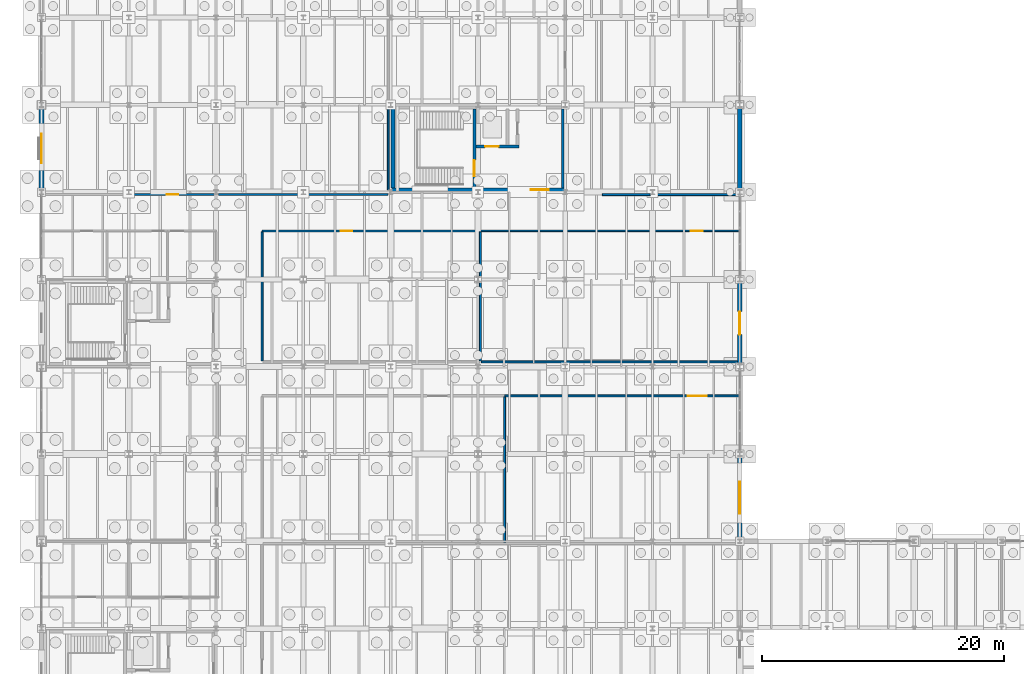
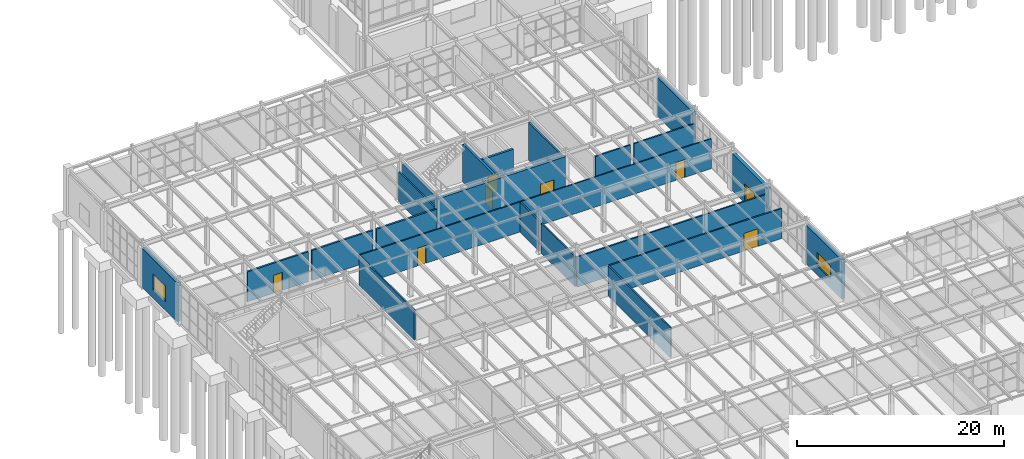
# One storey, part 264 of 293: 23 walls, 8 doors, 2 windows, 10 openings.
"""IFC4 building model written with IfcOpenShell, lengths in metres."""

from ifc_helpers import new_model, si_unit, direction, frame, frame_2d, origin, place, context, subcontext, project, spatial, rectangle, extrude, material, layer, layer_set, type_object, element, fill, save


model = new_model("IFC4")

# Units and contexts
model_context = context("Model", 3, precision=1e-05, world=origin(), true_north=direction((0.0, 1.0)))
body_context = subcontext(model_context, "Body", "Model", "MODEL_VIEW")
ifc_project = project(units=[si_unit("LENGTHUNIT", "METRE"), si_unit("AREAUNIT", "SQUARE_METRE"), si_unit("VOLUMEUNIT", "CUBIC_METRE"), si_unit("PLANEANGLEUNIT", "RADIAN"), si_unit("MASSUNIT", "GRAM", prefix="KILO")], contexts=[model_context])

# Site, building, storey
site_placement = place(None, origin())
site = spatial("IfcSite", under=ifc_project, at=site_placement, CompositionType="ELEMENT")
building_placement = place(site_placement, origin())
building = spatial("IfcBuilding", under=site, at=building_placement, Name="Kemerveld Promenade Tramway Depot", CompositionType="ELEMENT")
storey_placement = place(building_placement, origin())
storey = spatial("IfcBuildingStorey", under=building, at=storey_placement, Name="L00", CompositionType="ELEMENT", Elevation=0.0)

# Wall, opening, door
ifc_material_1 = material(Name="Concrete C40/50", Category="concrete")
ifc_layer_1 = layer(ifc_material_1, 0.25)
ifc_layer_set_1 = layer_set([ifc_layer_1], Name="WL-CORE-250")
wall_type_1 = type_object("IfcWallType", Name="WL-CORE-250", PredefinedType="SHEAR", material=ifc_layer_set_1)
wall_1_placement = place(storey_placement, frame((35.699951171875, 57.949951171875, 0.0), z_axis=(0.0, 0.0, 1.0), x_axis=(0.0, 1.0, 0.0)))
wall_1 = element("IfcWall", 1, at=wall_1_placement, inside=storey, type_object=wall_type_1, Name="WL-C3-L00-SDIV", PredefinedType="SHEAR", context=body_context, shape_type="SweptSolid", body=[
    extrude(rectangle(XDim=6.5, YDim=0.25, at=frame_2d((3.25, 0.0))), origin(), (0.0, 0.0, 1.0), 4.449951171875),
])
opening_1_placement = place(wall_1_placement, frame((0.949951171875, 0.0, 0.0)))
opening_1 = element("IfcOpeningElement", 2, at=opening_1_placement, cuts=wall_1, Name="Opening D-541", PredefinedType="OPENING", context=body_context, shape_type="SweptSolid", body=[
    extrude(rectangle(XDim=1.35009765625, YDim=2.14990234375, at=frame_2d((0.675048828125, 1.074951171875))), frame((0.0, 0.135009765625, 0.0), z_axis=(0.0, -1.0, 0.0), x_axis=(1.0, 0.0, 0.0)), (0.0, 0.0, 1.0), 0.27001953125),
])
ifc_material_2 = material(Name="Galvanised steel fire stair door", Category="steel")
door_type_1 = type_object("IfcDoorType", Name="DR-FD120", OperationType="NOTDEFINED", PredefinedType="DOOR", material=ifc_material_2)
door_1_placement = place(opening_1_placement, origin())
door_1 = element("IfcDoor", 3, at=door_1_placement, inside=storey, type_object=door_type_1, Name="DR-C3-L00-STAIR", OperationType="SINGLE_SWING_RIGHT", OverallHeight=2.14990234375, OverallWidth=1.35009765625, PredefinedType="DOOR", context=body_context, shape_type="SweptSolid", body=[
    extrude(rectangle(XDim=1.35009765625, YDim=2.14990234375, at=frame_2d((0.675048828125, 1.074951171875))), frame((0.0, 0.02490234375, 0.0), z_axis=(0.0, -1.0, 0.0), x_axis=(1.0, 0.0, 0.0)), (0.0, 0.0, 1.0), 0.050048828125),
])
fill(opening_1, door_1)

wall_2_placement = place(storey_placement, frame((35.824951171875, 61.360107421875, 0.0), z_axis=(0.0, 0.0, 1.0), x_axis=(1.0, 0.0, 0.0)))
wall_2 = element("IfcWall", 4, at=wall_2_placement, inside=storey, type_object=wall_type_1, Name="WL-C3-L00-LSHS", PredefinedType="SHEAR", context=body_context, shape_type="SweptSolid", body=[
    extrude(rectangle(XDim=3.580078125, YDim=0.25, at=frame_2d((1.7900390625, 0.0))), origin(), (0.0, 0.0, 1.0), 4.449951171875),
])
opening_2_placement = place(wall_2_placement, frame((0.77490234375, 0.0, 0.0)))
opening_2 = element("IfcOpeningElement", 5, at=opening_2_placement, cuts=wall_2, Name="Opening LD-542", PredefinedType="OPENING", context=body_context, shape_type="SweptSolid", body=[
    extrude(rectangle(XDim=1.10009765625, YDim=2.14990234375, at=frame_2d((0.550048828125, 1.074951171875))), frame((0.0, 0.135009765625, 0.0), z_axis=(0.0, -1.0, 0.0), x_axis=(1.0, 0.0, 0.0)), (0.0, 0.0, 1.0), 0.27001953125),
])
ifc_material_3 = material(Name="Brushed stainless steel sliding lift landing door", Category="steel")
door_type_2 = type_object("IfcDoorType", Name="DR-LD01", OperationType="SLIDING_TO_LEFT", PredefinedType="DOOR", material=ifc_material_3)
door_2_placement = place(opening_2_placement, origin())
door_2 = element("IfcDoor", 6, at=door_2_placement, inside=storey, type_object=door_type_2, Name="DR-C3-L00-LIFT", OperationType="SLIDING_TO_LEFT", OverallHeight=2.14990234375, OverallWidth=1.10009765625, PredefinedType="DOOR", context=body_context, shape_type="SweptSolid", body=[
    extrude(rectangle(XDim=1.10009765625, YDim=2.14990234375, at=frame_2d((0.550048828125, 1.074951171875))), frame((0.0, 0.02490234375, 0.0), z_axis=(0.0, -1.0, 0.0), x_axis=(1.0, 0.0, 0.0)), (0.0, 0.0, 1.0), 0.050048828125),
])
fill(opening_2, door_2)

ifc_layer_2 = layer(ifc_material_1, 0.300048828125)
ifc_layer_set_2 = layer_set([ifc_layer_2], Name="WL-CORE-300")
wall_type_2 = type_object("IfcWallType", Name="WL-CORE-300", PredefinedType="SHEAR", material=ifc_layer_set_2)
wall_3_placement = place(storey_placement, frame((28.85009765625, 57.800048828125, 0.0), z_axis=(0.0, 0.0, 1.0), x_axis=(1.0, 0.0, 0.0)))
wall_3 = element("IfcWall", 7, at=wall_3_placement, inside=storey, type_object=wall_type_2, Name="WL-C3-L00-S", PredefinedType="SHEAR", context=body_context, shape_type="SweptSolid", body=[
    extrude(rectangle(XDim=14.349853515625, YDim=0.300048828125, at=frame_2d((7.1748046875, 0.0))), origin(), (0.0, 0.0, 1.0), 4.449951171875),
])
opening_3_placement = place(wall_3_placement, frame((11.5, 0.0, 0.0)))
opening_3 = element("IfcOpeningElement", 8, at=opening_3_placement, cuts=wall_3, Name="Opening D-544", PredefinedType="OPENING", context=body_context, shape_type="SweptSolid", body=[
    extrude(rectangle(XDim=1.5, YDim=2.14990234375, at=frame_2d((0.75, 1.074951171875))), frame((0.0, 0.159912109375, 0.0), z_axis=(0.0, -1.0, 0.0), x_axis=(1.0, 0.0, 0.0)), (0.0, 0.0, 1.0), 0.320068359375),
])
ifc_material_4 = material(Name="Timber-faced acoustic fire lobby door", Category="wood")
door_type_3 = type_object("IfcDoorType", Name="DR-FD60A", OperationType="NOTDEFINED", PredefinedType="DOOR", material=ifc_material_4)
door_3_placement = place(opening_3_placement, origin())
door_3 = element("IfcDoor", 9, at=door_3_placement, inside=storey, type_object=door_type_3, Name="DR-C3-L00-LOBBY", OperationType="SINGLE_SWING_RIGHT", OverallHeight=2.14990234375, OverallWidth=1.5, PredefinedType="DOOR", context=body_context, shape_type="SweptSolid", body=[
    extrude(rectangle(XDim=1.5, YDim=2.14990234375, at=frame_2d((0.75, 1.074951171875))), frame((0.0, 0.02490234375, 0.0), z_axis=(0.0, -1.0, 0.0), x_axis=(1.0, 0.0, 0.0)), (0.0, 0.0, 1.0), 0.050048828125),
])
fill(opening_3, door_3)

# Wall
wall_4_placement = place(storey_placement, frame((29.0, 57.949951171875, 0.0), z_axis=(0.0, 0.0, 1.0), x_axis=(0.0, 1.0, 0.0)))
element("IfcWall", 10, at=wall_4_placement, inside=storey, type_object=wall_type_2, Name="WL-C3-L00-W", PredefinedType="SHEAR", context=body_context, shape_type="SweptSolid", body=[
    extrude(rectangle(XDim=6.5, YDim=0.300048828125, at=frame_2d((3.25, 0.0))), origin(), (0.0, 0.0, 1.0), 4.449951171875),
])

# Wall, opening, window
ifc_material_5 = material(Name="Harare granite ashlar and clay brick cavity masonry", Category="masonry")
ifc_layer_3 = layer(ifc_material_5, 0.3798828125)
ifc_layer_set_3 = layer_set([ifc_layer_3], Name="WL-EXT-380")
wall_type_3 = type_object("IfcWallType", Name="WL-EXT-380", PredefinedType="SOLIDWALL", material=ifc_layer_set_3)
wall_5_placement = place(storey_placement, frame((0.0, 57.806396484375, 0.0), z_axis=(0.0, 0.0, 1.0), x_axis=(0.0, 1.0, 0.0)))
wall_5 = element("IfcWall", 11, at=wall_5_placement, inside=storey, type_object=wall_type_3, Name="WL-L00-V5W-09", PredefinedType="SOLIDWALL", context=body_context, shape_type="SweptSolid", body=[
    extrude(rectangle(XDim=6.787353515625, YDim=0.3798828125, at=frame_2d((3.3935546875, 0.0))), origin(), (0.0, 0.0, 1.0), 4.593505859375),
])
opening_4_placement = place(wall_5_placement, frame((2.194091796875, 0.0, 1.050048828125)))
opening_4 = element("IfcOpeningElement", 12, at=opening_4_placement, cuts=wall_5, Name="Opening W-107", PredefinedType="OPENING", context=body_context, shape_type="SweptSolid", body=[
    extrude(rectangle(XDim=2.39990234375, YDim=1.800048828125, at=frame_2d((1.199951171875, 0.89990234375))), frame((0.0, 0.199951171875, 0.0), z_axis=(0.0, -1.0, 0.0), x_axis=(1.0, 0.0, 0.0)), (0.0, 0.0, 1.0), 0.39990234375),
])
ifc_material_6 = material(Name="Bronze anodised aluminium and low-e glass", Category="aluminium")
window_type_1 = type_object("IfcWindowType", Name="WN-10", PartitioningType="SINGLE_PANEL", PredefinedType="WINDOW", material=ifc_material_6)
window_1_placement = place(opening_4_placement, origin())
window_1 = element("IfcWindow", 13, at=window_1_placement, inside=storey, type_object=window_type_1, Name="WN-L00-V5W-09", OverallHeight=1.800048828125, OverallWidth=2.39990234375, PartitioningType="SINGLE_PANEL", PredefinedType="WINDOW", context=body_context, shape_type="SweptSolid", body=[
    extrude(rectangle(XDim=2.39990234375, YDim=1.800048828125, at=frame_2d((1.199951171875, 0.89990234375))), frame((0.0, 0.030029296875, 0.0), z_axis=(0.0, -1.0, 0.0), x_axis=(1.0, 0.0, 0.0)), (0.0, 0.0, 1.0), 0.06005859375),
])
fill(opening_4, window_1)

# Wall
wall_6_placement = place(storey_placement, frame((57.60009765625, 64.59375, 0.0), z_axis=(0.0, 0.0, 1.0), x_axis=(0.0, -1.0, 0.0)))
element("IfcWall", 14, at=wall_6_placement, inside=storey, type_object=wall_type_3, Name="WL-L00-V5E-03", PredefinedType="SOLIDWALL", context=body_context, shape_type="SweptSolid", body=[
    extrude(rectangle(XDim=6.787353515625, YDim=0.3798828125, at=frame_2d((3.3935546875, 0.0))), origin(), (0.0, 0.0, 1.0), 4.593505859375),
])

# Wall, opening, door
wall_7_placement = place(storey_placement, frame((57.60009765625, 50.193603515625, 0.0), z_axis=(0.0, 0.0, 1.0), x_axis=(0.0, -1.0, 0.0)))
wall_7 = element("IfcWall", 15, at=wall_7_placement, inside=storey, type_object=wall_type_3, Name="WL-L00-V5E-05", PredefinedType="SOLIDWALL", context=body_context, shape_type="SweptSolid", body=[
    extrude(rectangle(XDim=6.787353515625, YDim=0.3798828125, at=frame_2d((3.3935546875, 0.0))), origin(), (0.0, 0.0, 1.0), 4.367919921875),
])
opening_5_placement = place(wall_7_placement, frame((2.444091796875, 0.0, 0.0)))
opening_5 = element("IfcOpeningElement", 16, at=opening_5_placement, cuts=wall_7, Name="Opening D-128", PredefinedType="OPENING", context=body_context, shape_type="SweptSolid", body=[
    extrude(rectangle(XDim=1.89990234375, YDim=2.25, at=frame_2d((0.949951171875, 1.125))), frame((0.0, 0.199951171875, 0.0), z_axis=(0.0, -1.0, 0.0), x_axis=(1.0, 0.0, 0.0)), (0.0, 0.0, 1.0), 0.39990234375),
])
ifc_material_7 = material(Name="Bronze anodised aluminium and safety glass", Category="aluminium")
door_type_4 = type_object("IfcDoorType", Name="DR-EX02", OperationType="DOUBLE_SWING_LEFT", PredefinedType="DOOR", material=ifc_material_7)
door_4_placement = place(opening_5_placement, origin())
door_4 = element("IfcDoor", 17, at=door_4_placement, inside=storey, type_object=door_type_4, Name="EX-09", OperationType="DOUBLE_SWING_LEFT", OverallHeight=2.25, OverallWidth=1.89990234375, PredefinedType="DOOR", context=body_context, shape_type="SweptSolid", body=[
    extrude(rectangle(XDim=1.89990234375, YDim=2.25, at=frame_2d((0.949951171875, 1.125))), frame((0.0, 0.02490234375, 0.0), z_axis=(0.0, -1.0, 0.0), x_axis=(1.0, 0.0, 0.0)), (0.0, 0.0, 1.0), 0.050048828125),
])
fill(opening_5, door_4)

# Wall, opening, window
wall_8_placement = place(storey_placement, frame((57.60009765625, 35.793701171875, 0.0), z_axis=(0.0, 0.0, 1.0), x_axis=(0.0, -1.0, 0.0)))
wall_8 = element("IfcWall", 18, at=wall_8_placement, inside=storey, type_object=wall_type_3, Name="WL-L00-V5E-07", PredefinedType="SOLIDWALL", context=body_context, shape_type="SweptSolid", body=[
    extrude(rectangle(XDim=6.797607421875, YDim=0.3798828125, at=frame_2d((3.39892578125, 0.0))), origin(), (0.0, 0.0, 1.0), 4.593505859375),
])
opening_6_placement = place(wall_8_placement, frame((2.073974609375, 0.0, 1.050048828125)))
opening_6 = element("IfcOpeningElement", 19, at=opening_6_placement, cuts=wall_8, Name="Opening W-110", PredefinedType="OPENING", context=body_context, shape_type="SweptSolid", body=[
    extrude(rectangle(XDim=2.64990234375, YDim=1.60009765625, at=frame_2d((1.324951171875, 0.800048828125))), frame((0.0, 0.199951171875, 0.0), z_axis=(0.0, -1.0, 0.0), x_axis=(1.0, 0.0, 0.0)), (0.0, 0.0, 1.0), 0.39990234375),
])
window_type_2 = type_object("IfcWindowType", Name="WN-40", PartitioningType="SINGLE_PANEL", PredefinedType="WINDOW", material=ifc_material_6)
window_2_placement = place(opening_6_placement, origin())
window_2 = element("IfcWindow", 20, at=window_2_placement, inside=storey, type_object=window_type_2, Name="WN-L00-V5E-07", OverallHeight=1.60009765625, OverallWidth=2.64990234375, PartitioningType="SINGLE_PANEL", PredefinedType="WINDOW", context=body_context, shape_type="SweptSolid", body=[
    extrude(rectangle(XDim=2.64990234375, YDim=1.60009765625, at=frame_2d((1.324951171875, 0.800048828125))), frame((0.0, 0.030029296875, 0.0), z_axis=(0.0, -1.0, 0.0), x_axis=(1.0, 0.0, 0.0)), (0.0, 0.0, 1.0), 0.06005859375),
])
fill(opening_6, window_2)

# Wall
ifc_material_8 = material(Name="Concrete blockwork C35/45", Category="masonry")
ifc_layer_4 = layer(ifc_material_8, 0.199951171875)
ifc_layer_set_4 = layer_set([ifc_layer_4], Name="WL-LOB-200")
wall_type_4 = type_object("IfcWallType", Name="WL-LOB-200", PredefinedType="SOLIDWALL", material=ifc_layer_set_4)
wall_9_placement = place(storey_placement, frame((43.0, 57.949951171875, 0.0), z_axis=(0.0, 0.0, 1.0), x_axis=(0.0, 1.0, 0.0)))
element("IfcWall", 21, at=wall_9_placement, inside=storey, type_object=wall_type_4, Name="WL-C3-L00-E", PredefinedType="SOLIDWALL", context=body_context, shape_type="SweptSolid", body=[
    extrude(rectangle(XDim=6.5, YDim=0.199951171875, at=frame_2d((3.25, 0.0))), origin(), (0.0, 0.0, 1.0), 4.449951171875),
])

# Wall, opening, door
ifc_material_9 = material(Name="Moisture-resistant masonry partition", Category="masonry")
ifc_layer_5 = layer(ifc_material_9, 0.1298828125)
ifc_layer_set_5 = layer_set([ifc_layer_5], Name="WL-PRT-130")
wall_type_5 = type_object("IfcWallType", Name="WL-PRT-130", PredefinedType="PARTITIONING", material=ifc_layer_set_5)
wall_10_placement = place(storey_placement, frame((36.199951171875, 54.39990234375, 0.0), z_axis=(0.0, 0.0, 1.0), x_axis=(1.0, 0.0, 0.0)))
wall_10 = element("IfcWall", 22, at=wall_10_placement, inside=storey, type_object=wall_type_5, Name="WL-PRT-RM-L00-V5-SHWR", PredefinedType="PARTITIONING", context=body_context, shape_type="SweptSolid", body=[
    extrude(rectangle(XDim=21.320068359375, YDim=0.1298828125, at=frame_2d((10.66015625, 0.0))), origin(), (0.0, 0.0, 1.0), 3.550048828125),
])
opening_7_placement = place(wall_10_placement, frame((17.346923828125, 0.0, 0.0)))
opening_7 = element("IfcOpeningElement", 23, at=opening_7_placement, cuts=wall_10, Name="Opening D-618", PredefinedType="OPENING", context=body_context, shape_type="SweptSolid", body=[
    extrude(rectangle(XDim=1.0, YDim=2.10009765625, at=frame_2d((0.5, 1.050048828125))), frame((0.0, 0.074951171875, 0.0), z_axis=(0.0, -1.0, 0.0), x_axis=(1.0, 0.0, 0.0)), (0.0, 0.0, 1.0), 0.14990234375),
])
ifc_material_10 = material(Name="Hardwood staff welfare door", Category="wood")
door_type_5 = type_object("IfcDoorType", Name="DR-INT02", OperationType="NOTDEFINED", PredefinedType="DOOR", material=ifc_material_10)
door_5_placement = place(opening_7_placement, origin())
door_5 = element("IfcDoor", 24, at=door_5_placement, inside=storey, type_object=door_type_5, Name="DR-RM-RM-L00-V5-SHWR", OperationType="SINGLE_SWING_RIGHT", OverallHeight=2.10009765625, OverallWidth=1.0, PredefinedType="DOOR", context=body_context, shape_type="SweptSolid", body=[
    extrude(rectangle(XDim=1.0, YDim=2.10009765625, at=frame_2d((0.5, 1.050048828125))), frame((0.0, 0.02490234375, 0.0), z_axis=(0.0, -1.0, 0.0), x_axis=(1.0, 0.0, 0.0)), (0.0, 0.0, 1.0), 0.050048828125),
])
fill(opening_7, door_5)

ifc_material_11 = material(Name="Fire-rated gypsum stud partition")
ifc_layer_6 = layer(ifc_material_11, 0.14501953125)
ifc_layer_set_6 = layer_set([ifc_layer_6], Name="WL-PRT-145")
wall_type_6 = type_object("IfcWallType", Name="WL-PRT-145", PredefinedType="PARTITIONING", material=ifc_layer_set_6)
wall_11_placement = place(storey_placement, frame((18.199951171875, 54.39990234375, 0.0), z_axis=(0.0, 0.0, 1.0), x_axis=(1.0, 0.0, 0.0)))
wall_11 = element("IfcWall", 25, at=wall_11_placement, inside=storey, type_object=wall_type_6, Name="WL-PRT-RM-L00-V5-RESTF", PredefinedType="PARTITIONING", context=body_context, shape_type="SweptSolid", body=[
    extrude(rectangle(XDim=18.0, YDim=0.14501953125, at=frame_2d((9.0, 0.0))), origin(), (0.0, 0.0, 1.0), 3.550048828125),
])
opening_8_placement = place(wall_11_placement, frame((6.47412109375, 0.0, 0.0)))
opening_8 = element("IfcOpeningElement", 26, at=opening_8_placement, cuts=wall_11, Name="Opening D-617", PredefinedType="OPENING", context=body_context, shape_type="SweptSolid", body=[
    extrude(rectangle(XDim=0.949951171875, YDim=2.10009765625, at=frame_2d((0.47509765625, 1.050048828125))), frame((0.0, 0.08251953125, 0.0), z_axis=(0.0, -1.0, 0.0), x_axis=(1.0, 0.0, 0.0)), (0.0, 0.0, 1.0), 0.1650390625),
])
ifc_material_12 = material(Name="Hardwood acoustic office door", Category="wood")
door_type_6 = type_object("IfcDoorType", Name="DR-INT01", OperationType="NOTDEFINED", PredefinedType="DOOR", material=ifc_material_12)
door_6_placement = place(opening_8_placement, origin())
door_6 = element("IfcDoor", 27, at=door_6_placement, inside=storey, type_object=door_type_6, Name="DR-RM-RM-L00-V5-RESTF", OperationType="SINGLE_SWING_LEFT", OverallHeight=2.10009765625, OverallWidth=0.949951171875, PredefinedType="DOOR", context=body_context, shape_type="SweptSolid", body=[
    extrude(rectangle(XDim=0.949951171875, YDim=2.10009765625, at=frame_2d((0.47509765625, 1.050048828125))), frame((0.0, 0.02490234375, 0.0), z_axis=(0.0, -1.0, 0.0), x_axis=(1.0, 0.0, 0.0)), (0.0, 0.0, 1.0), 0.050048828125),
])
fill(opening_8, door_6)

ifc_material_13 = material(Name="Acoustic twin-stud gypsum partition")
ifc_layer_7 = layer(ifc_material_13, 0.159912109375)
ifc_layer_set_7 = layer_set([ifc_layer_7], Name="WL-PRT-160")
wall_type_7 = type_object("IfcWallType", Name="WL-PRT-160", PredefinedType="PARTITIONING", material=ifc_layer_set_7)
wall_12_placement = place(storey_placement, frame((38.199951171875, 40.800048828125, 0.0), z_axis=(0.0, 0.0, 1.0), x_axis=(1.0, 0.0, 0.0)))
wall_12 = element("IfcWall", 28, at=wall_12_placement, inside=storey, type_object=wall_type_7, Name="WL-PRT-RM-L00-V5-LCKF", PredefinedType="PARTITIONING", context=body_context, shape_type="SweptSolid", body=[
    extrude(rectangle(XDim=19.320068359375, YDim=0.159912109375, at=frame_2d((9.66015625, 0.0))), origin(), (0.0, 0.0, 1.0), 3.550048828125),
])
opening_9_placement = place(wall_12_placement, frame((15.090087890625, 0.0, 0.0)))
opening_9 = element("IfcOpeningElement", 29, at=opening_9_placement, cuts=wall_12, Name="Opening D-616", PredefinedType="OPENING", context=body_context, shape_type="SweptSolid", body=[
    extrude(rectangle(XDim=1.580078125, YDim=2.080078125, at=frame_2d((0.7900390625, 1.0400390625))), frame((0.0, 0.08984375, 0.0), z_axis=(0.0, -1.0, 0.0), x_axis=(1.0, 0.0, 0.0)), (0.0, 0.0, 1.0), 0.179931640625),
])
ifc_material_14 = material(Name="Hardwood interior room door", Category="wood")
door_type_7 = type_object("IfcDoorType", Name="DR-INT32", OperationType="NOTDEFINED", PredefinedType="DOOR", material=ifc_material_14)
door_7_placement = place(opening_9_placement, origin())
door_7 = element("IfcDoor", 30, at=door_7_placement, inside=storey, type_object=door_type_7, Name="DR-RM-RM-L00-V5-LCKF", OperationType="SINGLE_SWING_RIGHT", OverallHeight=2.080078125, OverallWidth=1.580078125, PredefinedType="DOOR", context=body_context, shape_type="SweptSolid", body=[
    extrude(rectangle(XDim=1.580078125, YDim=2.080078125, at=frame_2d((0.7900390625, 1.0400390625))), frame((0.0, 0.02490234375, 0.0), z_axis=(0.0, -1.0, 0.0), x_axis=(1.0, 0.0, 0.0)), (0.0, 0.0, 1.0), 0.050048828125),
])
fill(opening_9, door_7)

# Walls
wall_13_placement = place(storey_placement, frame((38.199951171875, 28.679931640625, 0.0), z_axis=(0.0, 0.0, 1.0), x_axis=(0.0, 1.0, 0.0)))
element("IfcWall", 31, at=wall_13_placement, inside=storey, type_object=wall_type_7, Name="WL-DIV-L00-044", PredefinedType="PARTITIONING", context=body_context, shape_type="SweptSolid", body=[
    extrude(rectangle(XDim=12.0400390625, YDim=0.159912109375, at=frame_2d((6.02001953125, 0.0))), origin(), (0.0, 0.0, 1.0), 3.550048828125),
])
wall_14_placement = place(storey_placement, frame((18.199951171875, 43.679931640625, 0.0), z_axis=(0.0, 0.0, 1.0), x_axis=(0.0, 1.0, 0.0)))
element("IfcWall", 32, at=wall_14_placement, inside=storey, type_object=wall_type_7, Name="WL-DIV-L00-045", PredefinedType="PARTITIONING", context=body_context, shape_type="SweptSolid", body=[
    extrude(rectangle(XDim=10.64794921875, YDim=0.159912109375, at=frame_2d((5.323974609375, 0.0))), origin(), (0.0, 0.0, 1.0), 3.550048828125),
])
wall_15_placement = place(storey_placement, frame((36.199951171875, 43.679931640625, 0.0), z_axis=(0.0, 0.0, 1.0), x_axis=(0.0, 1.0, 0.0)))
element("IfcWall", 33, at=wall_15_placement, inside=storey, type_object=wall_type_7, Name="WL-DIV-L00-046", PredefinedType="PARTITIONING", context=body_context, shape_type="SweptSolid", body=[
    extrude(rectangle(XDim=6.5341796875, YDim=0.159912109375, at=frame_2d((3.26708984375, 0.0))), origin(), (0.0, 0.0, 1.0), 3.550048828125),
])
wall_16_placement = place(storey_placement, frame((36.199951171875, 50.5859375, 0.0), z_axis=(0.0, 0.0, 1.0), x_axis=(0.0, 1.0, 0.0)))
element("IfcWall", 34, at=wall_16_placement, inside=storey, type_object=wall_type_7, Name="WL-DIV-L00-047", PredefinedType="PARTITIONING", context=body_context, shape_type="SweptSolid", body=[
    extrude(rectangle(XDim=3.741943359375, YDim=0.159912109375, at=frame_2d((1.87109375, 0.0))), origin(), (0.0, 0.0, 1.0), 3.550048828125),
])
wall_17_placement = place(storey_placement, frame((36.280029296875, 43.60009765625, 0.0), z_axis=(0.0, 0.0, 1.0), x_axis=(1.0, 0.0, 0.0)))
element("IfcWall", 35, at=wall_17_placement, inside=storey, type_object=wall_type_7, Name="WL-DIV-L00-049", PredefinedType="PARTITIONING", context=body_context, shape_type="SweptSolid", body=[
    extrude(rectangle(XDim=21.1298828125, YDim=0.159912109375, at=frame_2d((10.56494140625, 0.0))), origin(), (0.0, 0.0, 1.0), 3.550048828125),
])
wall_18_placement = place(storey_placement, frame((28.60009765625, 57.785888671875, 0.0), z_axis=(0.0, 0.0, 1.0), x_axis=(0.0, 1.0, 0.0)))
element("IfcWall", 36, at=wall_18_placement, inside=storey, type_object=wall_type_7, Name="WL-DIV-L00-053", PredefinedType="PARTITIONING", context=body_context, shape_type="SweptSolid", body=[
    extrude(rectangle(XDim=6.828125, YDim=0.159912109375, at=frame_2d((3.4140625, 0.0))), origin(), (0.0, 0.0, 1.0), 3.550048828125),
])
wall_19_placement = place(storey_placement, frame((46.27294921875, 57.39990234375, 0.0), z_axis=(0.0, 0.0, 1.0), x_axis=(1.0, 0.0, 0.0)))
element("IfcWall", 37, at=wall_19_placement, inside=storey, type_object=wall_type_7, Name="WL-DIV-L00-056", PredefinedType="PARTITIONING", context=body_context, shape_type="SweptSolid", body=[
    extrude(rectangle(XDim=3.93896484375, YDim=0.159912109375, at=frame_2d((1.969482421875, 0.0))), origin(), (0.0, 0.0, 1.0), 3.550048828125),
])
wall_20_placement = place(storey_placement, frame((50.587890625, 57.39990234375, 0.0), z_axis=(0.0, 0.0, 1.0), x_axis=(1.0, 0.0, 0.0)))
element("IfcWall", 38, at=wall_20_placement, inside=storey, type_object=wall_type_7, Name="WL-DIV-L00-057", PredefinedType="PARTITIONING", context=body_context, shape_type="SweptSolid", body=[
    extrude(rectangle(XDim=6.822021484375, YDim=0.159912109375, at=frame_2d((3.4111328125, 0.0))), origin(), (0.0, 0.0, 1.0), 3.550048828125),
])

# Wall, opening, door
ifc_material_15 = material(Name="Plant and substation fire partition")
ifc_layer_8 = layer(ifc_material_15, 0.18994140625)
ifc_layer_set_8 = layer_set([ifc_layer_8], Name="WL-PRT-190")
wall_type_8 = type_object("IfcWallType", Name="WL-PRT-190", PredefinedType="PARTITIONING", material=ifc_layer_set_8)
wall_21_placement = place(storey_placement, frame((7.387939453125, 57.39990234375, 0.0), z_axis=(0.0, 0.0, 1.0), x_axis=(1.0, 0.0, 0.0)))
wall_21 = element("IfcWall", 39, at=wall_21_placement, inside=storey, type_object=wall_type_8, Name="WL-PRT-RM-L00-V5-UNIF", PredefinedType="PARTITIONING", context=body_context, shape_type="SweptSolid", body=[
    extrude(rectangle(XDim=6.823974609375, YDim=0.18994140625, at=frame_2d((3.412109375, 0.0))), origin(), (0.0, 0.0, 1.0), 3.550048828125),
])
opening_10_placement = place(wall_21_placement, frame((2.927001953125, 0.0, 0.0)))
opening_10 = element("IfcOpeningElement", 40, at=opening_10_placement, cuts=wall_21, Name="Opening D-622", PredefinedType="OPENING", context=body_context, shape_type="SweptSolid", body=[
    extrude(rectangle(XDim=0.969970703125, YDim=2.1201171875, at=frame_2d((0.48486328125, 1.06005859375))), frame((0.0, 0.10498046875, 0.0), z_axis=(0.0, -1.0, 0.0), x_axis=(1.0, 0.0, 0.0)), (0.0, 0.0, 1.0), 0.2099609375),
])
ifc_material_16 = material(Name="Hardwood studio door", Category="wood")
door_type_8 = type_object("IfcDoorType", Name="DR-INT09", OperationType="NOTDEFINED", PredefinedType="DOOR", material=ifc_material_16)
door_8_placement = place(opening_10_placement, origin())
door_8 = element("IfcDoor", 41, at=door_8_placement, inside=storey, type_object=door_type_8, Name="DR-RM-RM-L00-V5-UNIF", OperationType="SINGLE_SWING_RIGHT", OverallHeight=2.1201171875, OverallWidth=0.969970703125, PredefinedType="DOOR", context=body_context, shape_type="SweptSolid", body=[
    extrude(rectangle(XDim=0.969970703125, YDim=2.1201171875, at=frame_2d((0.48486328125, 1.06005859375))), frame((0.0, 0.02490234375, 0.0), z_axis=(0.0, -1.0, 0.0), x_axis=(1.0, 0.0, 0.0)), (0.0, 0.0, 1.0), 0.050048828125),
])
fill(opening_10, door_8)

# Walls
wall_22_placement = place(storey_placement, frame((14.587890625, 57.39990234375, 0.0), z_axis=(0.0, 0.0, 1.0), x_axis=(1.0, 0.0, 0.0)))
element("IfcWall", 42, at=wall_22_placement, inside=storey, type_object=wall_type_8, Name="WL-PRT-RM-L00-V5-UNIF-S3", PredefinedType="PARTITIONING", context=body_context, shape_type="SweptSolid", body=[
    extrude(rectangle(XDim=6.82421875, YDim=0.18994140625, at=frame_2d((3.412109375, 0.0))), origin(), (0.0, 0.0, 1.0), 3.550048828125),
])
wall_23_placement = place(storey_placement, frame((21.7880859375, 57.39990234375, 0.0), z_axis=(0.0, 0.0, 1.0), x_axis=(1.0, 0.0, 0.0)))
element("IfcWall", 43, at=wall_23_placement, inside=storey, type_object=wall_type_8, Name="WL-PRT-RM-L00-V5-UNIF-S4", PredefinedType="PARTITIONING", context=body_context, shape_type="SweptSolid", body=[
    extrude(rectangle(XDim=6.81201171875, YDim=0.18994140625, at=frame_2d((3.406005859375, 0.0))), origin(), (0.0, 0.0, 1.0), 3.550048828125),
])

save(model, "model.ifc")
